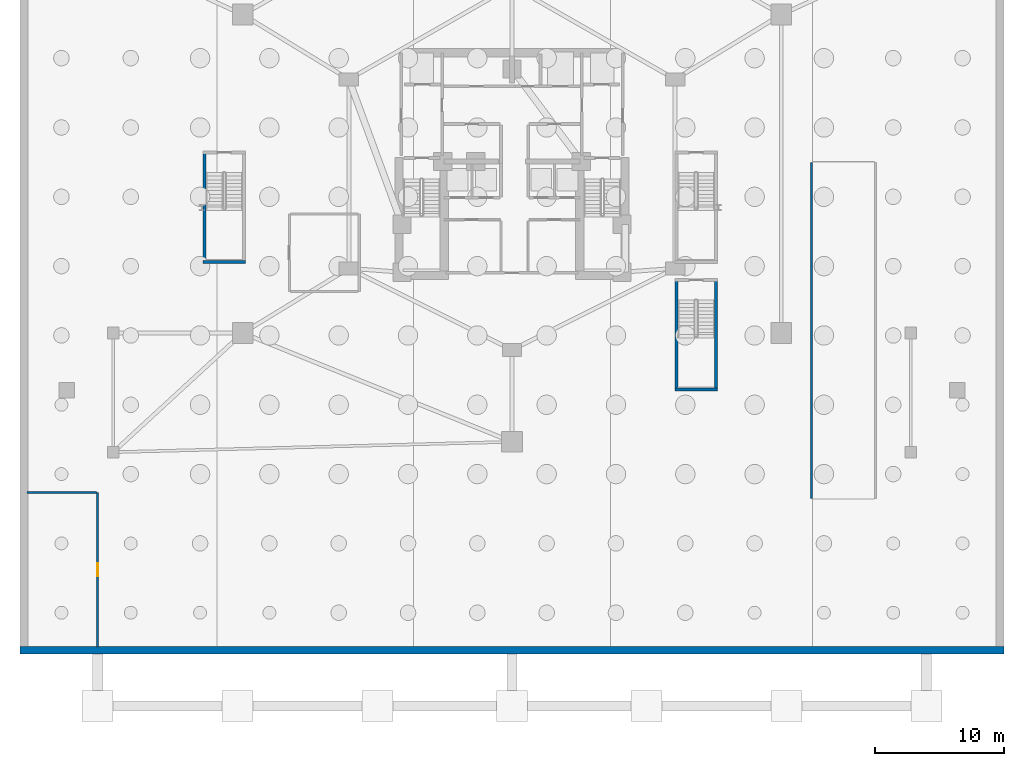
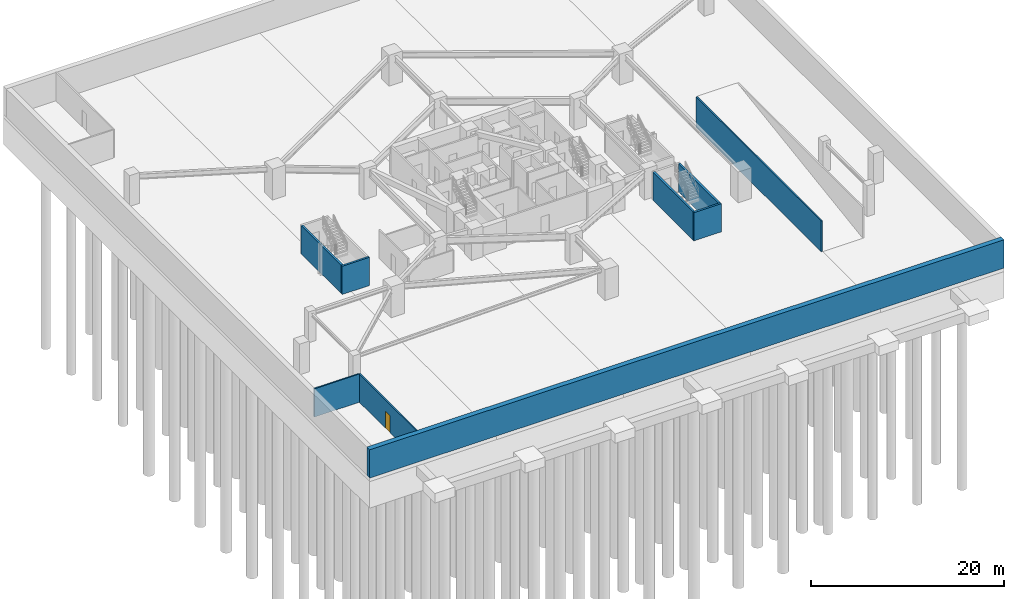
# One storey, part 6 of 14: 9 walls, 1 door, 1 opening.
"""IFC4 building model written with IfcOpenShell, lengths in metres."""

from ifc_helpers import new_model, si_unit, direction, frame, frame_2d, origin, place, context, subcontext, project, spatial, rectangle, extrude, material, layer, layer_set, type_object, element, fill, save


model = new_model("IFC4")

# Units and contexts
model_context = context("Model", 3, precision=1e-05, world=origin(), true_north=direction((0.0, 1.0)))
body_context = subcontext(model_context, "Body", "Model", "MODEL_VIEW")
ifc_project = project(units=[si_unit("LENGTHUNIT", "METRE"), si_unit("AREAUNIT", "SQUARE_METRE"), si_unit("VOLUMEUNIT", "CUBIC_METRE"), si_unit("PLANEANGLEUNIT", "RADIAN"), si_unit("MASSUNIT", "GRAM", prefix="KILO")], contexts=[model_context])

# Site, building, storey
site_placement = place(None, origin())
site = spatial("IfcSite", under=ifc_project, at=site_placement, CompositionType="ELEMENT")
building_placement = place(site_placement, origin())
building = spatial("IfcBuilding", under=site, at=building_placement, Name="Miruveldt Soraemaru", CompositionType="ELEMENT")
storey_placement = place(building_placement, frame((0.0, 0.0, -15.60009765625)))
storey = spatial("IfcBuildingStorey", under=building, at=storey_placement, Name="B4", CompositionType="ELEMENT", Elevation=-15.60009765625)

# Walls
ifc_material_1 = material(Name="Concrete C50/60 (50 MPa)", Category="concrete")
ifc_layer_1 = layer(ifc_material_1, 0.419921875, Name="Concrete C50/60 (50 MPa)", Category="concrete")
ifc_layer_set_1 = layer_set([ifc_layer_1], Name="Concrete C50/60 (50 MPa)")
wall_type_1 = type_object("IfcWallType", Name="WALL-CW-420", PredefinedType="SHEAR", material=ifc_layer_set_1)
wall_1_placement = place(storey_placement, frame((67.1201171875, 18.02001953125, 0.0), z_axis=(0.0, 0.0, 1.0), x_axis=(0.0, 1.0, 0.0)))
element("IfcWall", 1, at=wall_1_placement, inside=storey, type_object=wall_type_1, Name="B4 Car Park Ramp Shaft Structural Side Wall W", PredefinedType="SHEAR", context=body_context, shape_type="SweptSolid", body=[
    extrude(rectangle(XDim=25.9599609375, YDim=0.159912109375, at=frame_2d((12.97998046875, 0.0))), origin(), (0.0, 0.0, 1.0), 3.900146484375),
])
wall_2_placement = place(storey_placement, frame((20.25, 36.35009765625, 0.0), z_axis=(0.0, 0.0, 1.0), x_axis=(0.0, 1.0, 0.0)))
element("IfcWall", 2, at=wall_2_placement, inside=storey, type_object=wall_type_1, Name="B4 Protected Exit Stair ST-3 Structural Shaft Wall W", PredefinedType="SHEAR", context=body_context, shape_type="SweptSolid", body=[
    extrude(rectangle(XDim=8.349853515625, YDim=0.239990234375, at=frame_2d((4.1748046875, 0.0))), origin(), (0.0, 0.0, 1.0), 3.580078125),
])
for number, where, z_axis, x_axis, name in (
    (3, (56.699951171875, 26.5, 0.0), (0.0, 0.0, 1.0), (0.0, 1.0, 0.0), "B4 Basement Service Stair ST-5 Structural Shaft Wall W"),
    (4, (59.75, 26.5, 0.0), (0.0, 0.0, 1.0), (0.0, 1.0, 0.0), "B4 Basement Service Stair ST-5 Structural Shaft Wall E"),
):
    element("IfcWall", number, at=place(storey_placement, frame(where, z_axis=z_axis, x_axis=x_axis)), inside=storey, type_object=wall_type_1, Name=name, PredefinedType="SHEAR", context=body_context, shape_type="SweptSolid", body=[
        extrude(rectangle(XDim=8.35009765625, YDim=0.239990234375, at=frame_2d((4.175048828125, 0.0))), origin(), (0.0, 0.0, 1.0), 3.580078125),
    ])
for number, where, z_axis, x_axis, name in (
    (5, (20.1298828125, 36.300048828125, 0.0), (0.0, 0.0, 1.0), (1.0, 0.0, 0.0), "B4 Protected Exit Stair ST-3 Structural Shaft Wall S"),
    (6, (56.580078125, 26.449951171875, 0.0), (0.0, 0.0, 1.0), (1.0, 0.0, 0.0), "B4 Basement Service Stair ST-5 Structural Shaft Wall S"),
):
    element("IfcWall", number, at=place(storey_placement, frame(where, z_axis=z_axis, x_axis=x_axis)), inside=storey, type_object=wall_type_1, Name=name, PredefinedType="SHEAR", context=body_context, shape_type="SweptSolid", body=[
        extrude(rectangle(XDim=3.2900390625, YDim=0.239990234375, at=frame_2d((1.64501953125, 0.0))), origin(), (0.0, 0.0, 1.0), 3.580078125),
    ])

# Wall, opening, door
ifc_material_2 = material(Name="Concrete C40/50 (40 MPa)", Category="concrete")
ifc_layer_2 = layer(ifc_material_2, 0.159912109375, Name="Concrete C40/50 (40 MPa)", Category="concrete")
ifc_layer_set_2 = layer_set([ifc_layer_2], Name="Concrete C40/50 (40 MPa)")
wall_type_2 = type_object("IfcWallType", Name="WALL-INT-RC160", PredefinedType="SOLIDWALL", material=ifc_layer_set_2)
wall_3_placement = place(storey_placement, frame((12.0, 18.5, 0.0), z_axis=(0.0, 0.0, 1.0), x_axis=(0.0, -1.0, 0.0)))
wall_3 = element("IfcWall", 7, at=wall_3_placement, inside=storey, type_object=wall_type_2, Name="B4 Partition Wall 4", PredefinedType="SOLIDWALL", context=body_context, shape_type="SweptSolid", body=[
    extrude(rectangle(XDim=11.949951171875, YDim=0.159912109375, at=frame_2d((5.97509765625, 0.0))), origin(), (0.0, 0.0, 1.0), 3.580078125),
])
opening_placement = place(wall_3_placement, frame((5.47509765625, 0.0, 0.0)))
opening = element("IfcOpeningElement", 8, at=opening_placement, cuts=wall_3, Name="Opening FD1", PredefinedType="OPENING", context=body_context, shape_type="SweptSolid", body=[
    extrude(rectangle(XDim=1.0, YDim=2.14990234375, at=frame_2d((0.5, 1.074951171875))), frame((0.0, 0.08984375, 0.0), z_axis=(0.0, -1.0, 0.0), x_axis=(1.0, 0.0, 0.0)), (0.0, 0.0, 1.0), 0.179931640625),
])
ifc_material_3 = material(Name="Anodised aluminium EN AW-6063 T6", Category="aluminium")
door_type = type_object("IfcDoorType", Name="DOOR-FD1-1000", OperationType="NOTDEFINED", PredefinedType="DOOR", material=ifc_material_3)
door_placement = place(opening_placement, origin())
door = element("IfcDoor", 9, at=door_placement, inside=storey, type_object=door_type, Name="B4 Sprinkler Reserve Tank Room Fire Door", OperationType="SINGLE_SWING_LEFT", OverallHeight=2.14990234375, OverallWidth=1.0, PredefinedType="DOOR", context=body_context, shape_type="SweptSolid", body=[
    extrude(rectangle(XDim=1.0, YDim=2.14990234375, at=frame_2d((0.5, 1.074951171875))), frame((0.0, 0.02490234375, 0.0), z_axis=(0.0, -1.0, 0.0), x_axis=(1.0, 0.0, 0.0)), (0.0, 0.0, 1.0), 0.050048828125),
])
fill(opening, door)

# Walls
wall_4_placement = place(storey_placement, frame((6.550048828125, 18.5, 0.0), z_axis=(0.0, 0.0, 1.0), x_axis=(1.0, 0.0, 0.0)))
element("IfcWall", 10, at=wall_4_placement, inside=storey, type_object=wall_type_2, Name="B4 Partition Wall 3", PredefinedType="SOLIDWALL", context=body_context, shape_type="SweptSolid", body=[
    extrude(rectangle(XDim=5.369873046875, YDim=0.159912109375, at=frame_2d((2.68505859375, 0.0))), origin(), (0.0, 0.0, 1.0), 3.580078125),
])
ifc_layer_3 = layer(ifc_material_1, 0.60009765625, Name="Concrete C50/60 (50 MPa)", Category="concrete")
ifc_layer_set_3 = layer_set([ifc_layer_3], Name="Concrete C50/60 (50 MPa)")
wall_type_3 = type_object("IfcWallType", Name="WALL-RET-600", PredefinedType="SOLIDWALL", material=ifc_layer_set_3)
wall_5_placement = place(storey_placement, frame((6.0, 6.300048828125, 0.0), z_axis=(0.0, 0.0, 1.0), x_axis=(1.0, 0.0, 0.0)))
element("IfcWall", 11, at=wall_5_placement, inside=storey, type_object=wall_type_3, Name="B4 Perimeter Slurry Retaining Wall S", PredefinedType="SOLIDWALL", context=body_context, shape_type="SweptSolid", body=[
    extrude(rectangle(XDim=76.0, YDim=0.60009765625, at=frame_2d((38.0, 0.0))), origin(), (0.0, 0.0, 1.0), 3.580078125),
])

save(model, "model.ifc")
